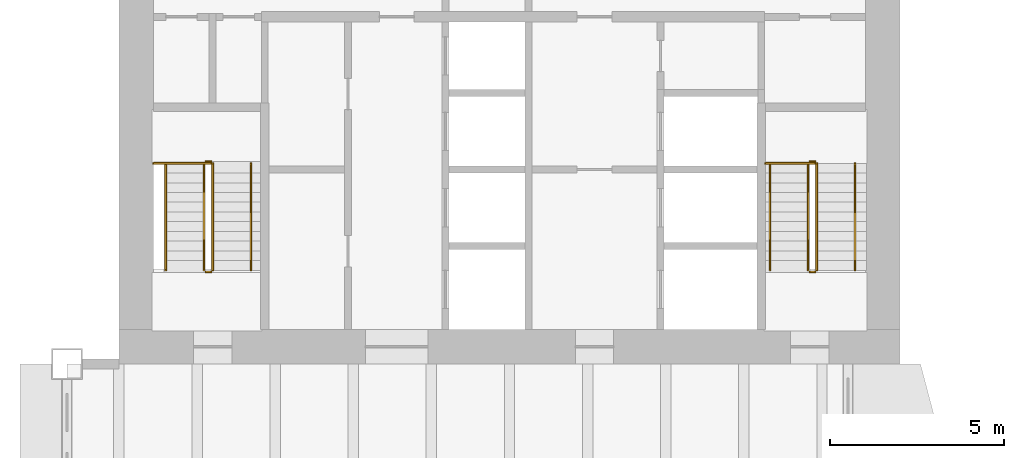
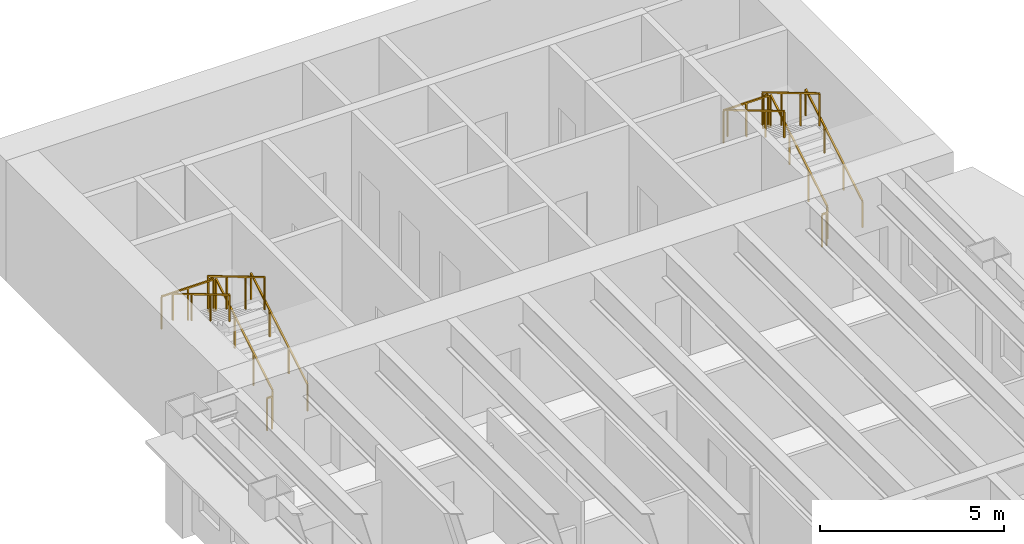
# One storey, part 13 of 13: 14 railings.
"""IFC4 building model written with IfcOpenShell, lengths in metres."""

from ifc_helpers import new_model, si_unit, direction, frame, origin, origin_2d, place, context, subcontext, project, spatial, rectangle, extrude, material, type_object, element, save


model = new_model("IFC4")

# Units and contexts
model_context = context("Model", 3, precision=1e-05, world=origin(), true_north=direction((0.0, 1.0)))
body_context = subcontext(model_context, "Body", "Model", "MODEL_VIEW")
ifc_project = project(units=[si_unit("LENGTHUNIT", "METRE"), si_unit("AREAUNIT", "SQUARE_METRE"), si_unit("VOLUMEUNIT", "CUBIC_METRE"), si_unit("PLANEANGLEUNIT", "RADIAN"), si_unit("MASSUNIT", "GRAM", prefix="KILO")], contexts=[model_context])

# Site, building, storey
site_placement = place(None, origin())
site = spatial("IfcSite", under=ifc_project, at=site_placement, CompositionType="ELEMENT")
building_placement = place(site_placement, origin())
building = spatial("IfcBuilding", under=site, at=building_placement, Name="Sennacour Bend Tower", CompositionType="ELEMENT")
storey_placement = place(building_placement, frame((0.0, 0.0, 147.0)))
storey = spatial("IfcBuildingStorey", under=building, at=storey_placement, Name="L33", CompositionType="ELEMENT", Elevation=147.0)

# Railings
ifc_material = material(Name="Stainless steel", Category="steel")
railing_type_1 = type_object("IfcRailingType", Name="RL-GUARD-1100", PredefinedType="GUARDRAIL", material=ifc_material)
railing_1_placement = place(storey_placement, frame((2.699951171875, 38.699951171875, 0.166748046875)))
element("IfcRailing", 1, at=railing_1_placement, inside=storey, type_object=railing_type_1, Name="L33 SB1 stair guard 1", PredefinedType="GUARDRAIL", context=body_context, shape_type="SweptSolid", body=[
    extrude(rectangle(XDim=0.048095703125, YDim=0.048095703125, at=origin_2d()), frame((0.0, 0.0, 1.076171875), z_axis=(0.0, 0.859308565015, 0.511457515432), x_axis=(-1.0, 0.0, 0.0)), (0.0, 0.0, 1.0), 3.58447265625),
    extrude(rectangle(XDim=0.0419921875, YDim=0.0419921875, at=origin_2d()), origin(), (0.0, 0.0, 1.0), 1.052001953125),
    extrude(rectangle(XDim=0.0419921875, YDim=0.0419921875, at=origin_2d()), frame((0.0, 1.026611328125, 0.611083984375)), (0.0, 0.0, 1.0), 1.052001953125),
    extrude(rectangle(XDim=0.0419921875, YDim=0.0419921875, at=origin_2d()), frame((0.0, 2.053466796875, 1.22216796875)), (0.0, 0.0, 1.0), 1.052001953125),
    extrude(rectangle(XDim=0.0419921875, YDim=0.0419921875, at=origin_2d()), frame((0.0, 3.080078125, 1.833251953125)), (0.0, 0.0, 1.0), 1.052001953125),
])
railing_2_placement = place(storey_placement, frame((2.64990234375, 41.830078125, 2.0)))
element("IfcRailing", 2, at=railing_2_placement, inside=storey, type_object=railing_type_1, Name="L33 SB1 stair guard 2", PredefinedType="GUARDRAIL", context=body_context, shape_type="SweptSolid", body=[
    extrude(rectangle(XDim=0.048095703125, YDim=0.048095703125, at=origin_2d()), frame((0.0, 0.0, 1.076171875), z_axis=(-1.0, 0.0, 0.0), x_axis=(0.0, -1.0, 0.0)), (0.0, 0.0, 1.0), 0.14990234375),
    extrude(rectangle(XDim=0.0419921875, YDim=0.0419921875, at=origin_2d()), origin(), (0.0, 0.0, 1.0), 1.052001953125),
    extrude(rectangle(XDim=0.0419921875, YDim=0.0419921875, at=origin_2d()), frame((-0.14990234375, 0.0, 0.0)), (0.0, 0.0, 1.0), 1.052001953125),
])
railing_3_placement = place(storey_placement, frame((2.449951171875, 41.780029296875, 2.166748046875)))
element("IfcRailing", 3, at=railing_3_placement, inside=storey, type_object=railing_type_1, Name="L33 SB1 stair guard 4", PredefinedType="GUARDRAIL", context=body_context, shape_type="SweptSolid", body=[
    extrude(rectangle(XDim=0.048095703125, YDim=0.048095703125, at=origin_2d()), frame((0.0, 0.0, 1.076171875), z_axis=(0.0, -0.859308565015, 0.511457515432), x_axis=(1.0, 0.0, 0.0)), (0.0, 0.0, 1.0), 3.58447265625),
    extrude(rectangle(XDim=0.0419921875, YDim=0.0419921875, at=origin_2d()), origin(), (0.0, 0.0, 1.0), 1.052001953125),
    extrude(rectangle(XDim=0.0419921875, YDim=0.0419921875, at=origin_2d()), frame((0.0, -1.026611328125, 0.611083984375)), (0.0, 0.0, 1.0), 1.052001953125),
    extrude(rectangle(XDim=0.0419921875, YDim=0.0419921875, at=origin_2d()), frame((0.0, -2.053466796875, 1.22216796875)), (0.0, 0.0, 1.0), 1.052001953125),
    extrude(rectangle(XDim=0.0419921875, YDim=0.0419921875, at=origin_2d()), frame((0.0, -3.080078125, 1.833251953125)), (0.0, 0.0, 1.0), 1.052001953125),
])
railing_4_placement = place(storey_placement, frame((2.64990234375, 38.64990234375, 0.0)))
element("IfcRailing", 4, at=railing_4_placement, inside=storey, type_object=railing_type_1, Name="L33 SB1 stair guard 5", PredefinedType="GUARDRAIL", context=body_context, shape_type="SweptSolid", body=[
    extrude(rectangle(XDim=0.048095703125, YDim=0.048095703125, at=origin_2d()), frame((0.0, 0.0, 1.076171875), z_axis=(-1.0, 0.0, 0.0), x_axis=(0.0, -1.0, 0.0)), (0.0, 0.0, 1.0), 0.14990234375),
    extrude(rectangle(XDim=0.0419921875, YDim=0.0419921875, at=origin_2d()), origin(), (0.0, 0.0, 1.0), 1.052001953125),
    extrude(rectangle(XDim=0.0419921875, YDim=0.0419921875, at=origin_2d()), frame((-0.14990234375, 0.0, 0.0)), (0.0, 0.0, 1.0), 1.052001953125),
])
railing_5_placement = place(storey_placement, frame((2.64990234375, 41.780029296875, 2.0)))
element("IfcRailing", 5, at=railing_5_placement, inside=storey, type_object=railing_type_1, Name="L33 SB1 landing edge guard 58", PredefinedType="GUARDRAIL", context=body_context, shape_type="SweptSolid", body=[
    extrude(rectangle(XDim=0.048095703125, YDim=0.048095703125, at=origin_2d()), frame((0.0, 0.0, 1.076171875), z_axis=(-1.0, 0.0, 0.0), x_axis=(0.0, -1.0, 0.0)), (0.0, 0.0, 1.0), 1.64990234375),
    extrude(rectangle(XDim=0.0419921875, YDim=0.0419921875, at=origin_2d()), origin(), (0.0, 0.0, 1.0), 1.052001953125),
    extrude(rectangle(XDim=0.0419921875, YDim=0.0419921875, at=origin_2d()), frame((-0.824951171875, 0.0, 0.0)), (0.0, 0.0, 1.0), 1.052001953125),
    extrude(rectangle(XDim=0.0419921875, YDim=0.0419921875, at=origin_2d()), frame((-1.64990234375, 0.0, 0.0)), (0.0, 0.0, 1.0), 1.052001953125),
])
railing_6_placement = place(storey_placement, frame((20.10009765625, 38.699951171875, 0.166748046875)))
element("IfcRailing", 6, at=railing_6_placement, inside=storey, type_object=railing_type_1, Name="L33 SB2 stair guard 1", PredefinedType="GUARDRAIL", context=body_context, shape_type="SweptSolid", body=[
    extrude(rectangle(XDim=0.048095703125, YDim=0.048095703125, at=origin_2d()), frame((0.0, 0.0, 1.076171875), z_axis=(0.0, 0.859308565015, 0.511457515432), x_axis=(-1.0, 0.0, 0.0)), (0.0, 0.0, 1.0), 3.58447265625),
    extrude(rectangle(XDim=0.0419921875, YDim=0.0419921875, at=origin_2d()), origin(), (0.0, 0.0, 1.0), 1.052001953125),
    extrude(rectangle(XDim=0.0419921875, YDim=0.0419921875, at=origin_2d()), frame((0.0, 1.026611328125, 0.611083984375)), (0.0, 0.0, 1.0), 1.052001953125),
    extrude(rectangle(XDim=0.0419921875, YDim=0.0419921875, at=origin_2d()), frame((0.0, 2.053466796875, 1.22216796875)), (0.0, 0.0, 1.0), 1.052001953125),
    extrude(rectangle(XDim=0.0419921875, YDim=0.0419921875, at=origin_2d()), frame((0.0, 3.080078125, 1.833251953125)), (0.0, 0.0, 1.0), 1.052001953125),
])
railing_7_placement = place(storey_placement, frame((20.050048828125, 41.830078125, 2.0)))
element("IfcRailing", 7, at=railing_7_placement, inside=storey, type_object=railing_type_1, Name="L33 SB2 stair guard 2", PredefinedType="GUARDRAIL", context=body_context, shape_type="SweptSolid", body=[
    extrude(rectangle(XDim=0.048095703125, YDim=0.048095703125, at=origin_2d()), frame((0.0, 0.0, 1.076171875), z_axis=(-1.0, 0.0, 0.0), x_axis=(0.0, -1.0, 0.0)), (0.0, 0.0, 1.0), 0.150146484375),
    extrude(rectangle(XDim=0.0419921875, YDim=0.0419921875, at=origin_2d()), origin(), (0.0, 0.0, 1.0), 1.052001953125),
    extrude(rectangle(XDim=0.0419921875, YDim=0.0419921875, at=origin_2d()), frame((-0.150146484375, 0.0, 0.0)), (0.0, 0.0, 1.0), 1.052001953125),
])
railing_8_placement = place(storey_placement, frame((19.85009765625, 41.780029296875, 2.166748046875)))
element("IfcRailing", 8, at=railing_8_placement, inside=storey, type_object=railing_type_1, Name="L33 SB2 stair guard 4", PredefinedType="GUARDRAIL", context=body_context, shape_type="SweptSolid", body=[
    extrude(rectangle(XDim=0.048095703125, YDim=0.048095703125, at=origin_2d()), frame((0.0, 0.0, 1.076171875), z_axis=(0.0, -0.859308565015, 0.511457515432), x_axis=(1.0, 0.0, 0.0)), (0.0, 0.0, 1.0), 3.58447265625),
    extrude(rectangle(XDim=0.0419921875, YDim=0.0419921875, at=origin_2d()), origin(), (0.0, 0.0, 1.0), 1.052001953125),
    extrude(rectangle(XDim=0.0419921875, YDim=0.0419921875, at=origin_2d()), frame((0.0, -1.026611328125, 0.611083984375)), (0.0, 0.0, 1.0), 1.052001953125),
    extrude(rectangle(XDim=0.0419921875, YDim=0.0419921875, at=origin_2d()), frame((0.0, -2.053466796875, 1.22216796875)), (0.0, 0.0, 1.0), 1.052001953125),
    extrude(rectangle(XDim=0.0419921875, YDim=0.0419921875, at=origin_2d()), frame((0.0, -3.080078125, 1.833251953125)), (0.0, 0.0, 1.0), 1.052001953125),
])
railing_9_placement = place(storey_placement, frame((20.050048828125, 38.64990234375, 0.0)))
element("IfcRailing", 9, at=railing_9_placement, inside=storey, type_object=railing_type_1, Name="L33 SB2 stair guard 5", PredefinedType="GUARDRAIL", context=body_context, shape_type="SweptSolid", body=[
    extrude(rectangle(XDim=0.048095703125, YDim=0.048095703125, at=origin_2d()), frame((0.0, 0.0, 1.076171875), z_axis=(-1.0, 0.0, 0.0), x_axis=(0.0, -1.0, 0.0)), (0.0, 0.0, 1.0), 0.150146484375),
    extrude(rectangle(XDim=0.0419921875, YDim=0.0419921875, at=origin_2d()), origin(), (0.0, 0.0, 1.0), 1.052001953125),
    extrude(rectangle(XDim=0.0419921875, YDim=0.0419921875, at=origin_2d()), frame((-0.150146484375, 0.0, 0.0)), (0.0, 0.0, 1.0), 1.052001953125),
])
railing_10_placement = place(storey_placement, frame((20.050048828125, 41.780029296875, 2.0)))
element("IfcRailing", 10, at=railing_10_placement, inside=storey, type_object=railing_type_1, Name="L33 SB2 landing edge guard 48", PredefinedType="GUARDRAIL", context=body_context, shape_type="SweptSolid", body=[
    extrude(rectangle(XDim=0.048095703125, YDim=0.048095703125, at=origin_2d()), frame((0.0, 0.0, 1.076171875), z_axis=(-1.0, 0.0, 0.0), x_axis=(0.0, -1.0, 0.0)), (0.0, 0.0, 1.0), 1.425048828125),
    extrude(rectangle(XDim=0.0419921875, YDim=0.0419921875, at=origin_2d()), origin(), (0.0, 0.0, 1.0), 1.052001953125),
    extrude(rectangle(XDim=0.0419921875, YDim=0.0419921875, at=origin_2d()), frame((-0.71240234375, 0.0, 0.0)), (0.0, 0.0, 1.0), 1.052001953125),
    extrude(rectangle(XDim=0.0419921875, YDim=0.0419921875, at=origin_2d()), frame((-1.425048828125, 0.0, 0.0)), (0.0, 0.0, 1.0), 1.052001953125),
])
railing_type_2 = type_object("IfcRailingType", Name="RL-HANDRAIL-900", PredefinedType="HANDRAIL", material=ifc_material)
railing_11_placement = place(storey_placement, frame((3.800048828125, 38.699951171875, 0.166748046875)))
element("IfcRailing", 11, at=railing_11_placement, inside=storey, type_object=railing_type_2, Name="L33 SB1 stair handrail 1", PredefinedType="HANDRAIL", context=body_context, shape_type="SweptSolid", body=[
    extrude(rectangle(XDim=0.048095703125, YDim=0.048095703125, at=origin_2d()), frame((0.0, 0.0, 0.8759765625), z_axis=(0.0, 0.859308565015, 0.511457515432), x_axis=(-1.0, 0.0, 0.0)), (0.0, 0.0, 1.0), 3.58447265625),
    extrude(rectangle(XDim=0.0419921875, YDim=0.0419921875, at=origin_2d()), origin(), (0.0, 0.0, 1.0), 0.851806640625),
    extrude(rectangle(XDim=0.0419921875, YDim=0.0419921875, at=origin_2d()), frame((0.0, 1.026611328125, 0.611083984375)), (0.0, 0.0, 1.0), 0.851806640625),
    extrude(rectangle(XDim=0.0419921875, YDim=0.0419921875, at=origin_2d()), frame((0.0, 2.053466796875, 1.22216796875)), (0.0, 0.0, 1.0), 0.851806640625),
    extrude(rectangle(XDim=0.0419921875, YDim=0.0419921875, at=origin_2d()), frame((0.0, 3.080078125, 1.833251953125)), (0.0, 0.0, 1.0), 0.851806640625),
])
railing_12_placement = place(storey_placement, frame((1.35009765625, 41.780029296875, 2.166748046875)))
element("IfcRailing", 12, at=railing_12_placement, inside=storey, type_object=railing_type_2, Name="L33 SB1 stair handrail 2", PredefinedType="HANDRAIL", context=body_context, shape_type="SweptSolid", body=[
    extrude(rectangle(XDim=0.048095703125, YDim=0.048095703125, at=origin_2d()), frame((0.0, 0.0, 0.8759765625), z_axis=(0.0, -0.859308565015, 0.511457515432), x_axis=(1.0, 0.0, 0.0)), (0.0, 0.0, 1.0), 3.58447265625),
    extrude(rectangle(XDim=0.0419921875, YDim=0.0419921875, at=origin_2d()), origin(), (0.0, 0.0, 1.0), 0.851806640625),
    extrude(rectangle(XDim=0.0419921875, YDim=0.0419921875, at=origin_2d()), frame((0.0, -1.026611328125, 0.611083984375)), (0.0, 0.0, 1.0), 0.851806640625),
    extrude(rectangle(XDim=0.0419921875, YDim=0.0419921875, at=origin_2d()), frame((0.0, -2.053466796875, 1.22216796875)), (0.0, 0.0, 1.0), 0.851806640625),
    extrude(rectangle(XDim=0.0419921875, YDim=0.0419921875, at=origin_2d()), frame((0.0, -3.080078125, 1.833251953125)), (0.0, 0.0, 1.0), 0.851806640625),
])
railing_13_placement = place(storey_placement, frame((21.199951171875, 38.699951171875, 0.166748046875)))
element("IfcRailing", 13, at=railing_13_placement, inside=storey, type_object=railing_type_2, Name="L33 SB2 stair handrail 1", PredefinedType="HANDRAIL", context=body_context, shape_type="SweptSolid", body=[
    extrude(rectangle(XDim=0.048095703125, YDim=0.048095703125, at=origin_2d()), frame((0.0, 0.0, 0.8759765625), z_axis=(0.0, 0.859308565015, 0.511457515432), x_axis=(-1.0, 0.0, 0.0)), (0.0, 0.0, 1.0), 3.58447265625),
    extrude(rectangle(XDim=0.0419921875, YDim=0.0419921875, at=origin_2d()), origin(), (0.0, 0.0, 1.0), 0.851806640625),
    extrude(rectangle(XDim=0.0419921875, YDim=0.0419921875, at=origin_2d()), frame((0.0, 1.026611328125, 0.611083984375)), (0.0, 0.0, 1.0), 0.851806640625),
    extrude(rectangle(XDim=0.0419921875, YDim=0.0419921875, at=origin_2d()), frame((0.0, 2.053466796875, 1.22216796875)), (0.0, 0.0, 1.0), 0.851806640625),
    extrude(rectangle(XDim=0.0419921875, YDim=0.0419921875, at=origin_2d()), frame((0.0, 3.080078125, 1.833251953125)), (0.0, 0.0, 1.0), 0.851806640625),
])
railing_14_placement = place(storey_placement, frame((18.75, 41.780029296875, 2.166748046875)))
element("IfcRailing", 14, at=railing_14_placement, inside=storey, type_object=railing_type_2, Name="L33 SB2 stair handrail 2", PredefinedType="HANDRAIL", context=body_context, shape_type="SweptSolid", body=[
    extrude(rectangle(XDim=0.048095703125, YDim=0.048095703125, at=origin_2d()), frame((0.0, 0.0, 0.8759765625), z_axis=(0.0, -0.859308565015, 0.511457515432), x_axis=(1.0, 0.0, 0.0)), (0.0, 0.0, 1.0), 3.58447265625),
    extrude(rectangle(XDim=0.0419921875, YDim=0.0419921875, at=origin_2d()), origin(), (0.0, 0.0, 1.0), 0.851806640625),
    extrude(rectangle(XDim=0.0419921875, YDim=0.0419921875, at=origin_2d()), frame((0.0, -1.026611328125, 0.611083984375)), (0.0, 0.0, 1.0), 0.851806640625),
    extrude(rectangle(XDim=0.0419921875, YDim=0.0419921875, at=origin_2d()), frame((0.0, -2.053466796875, 1.22216796875)), (0.0, 0.0, 1.0), 0.851806640625),
    extrude(rectangle(XDim=0.0419921875, YDim=0.0419921875, at=origin_2d()), frame((0.0, -3.080078125, 1.833251953125)), (0.0, 0.0, 1.0), 0.851806640625),
])

save(model, "model.ifc")
